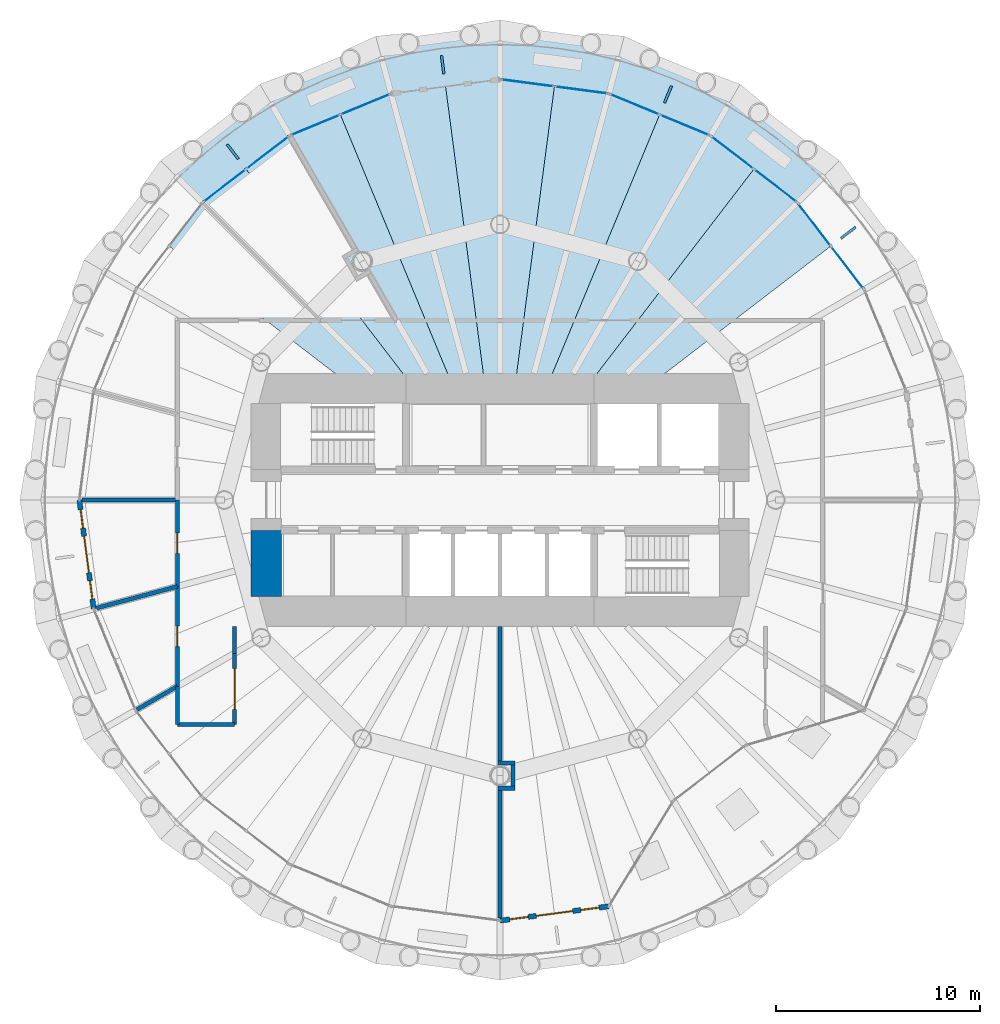
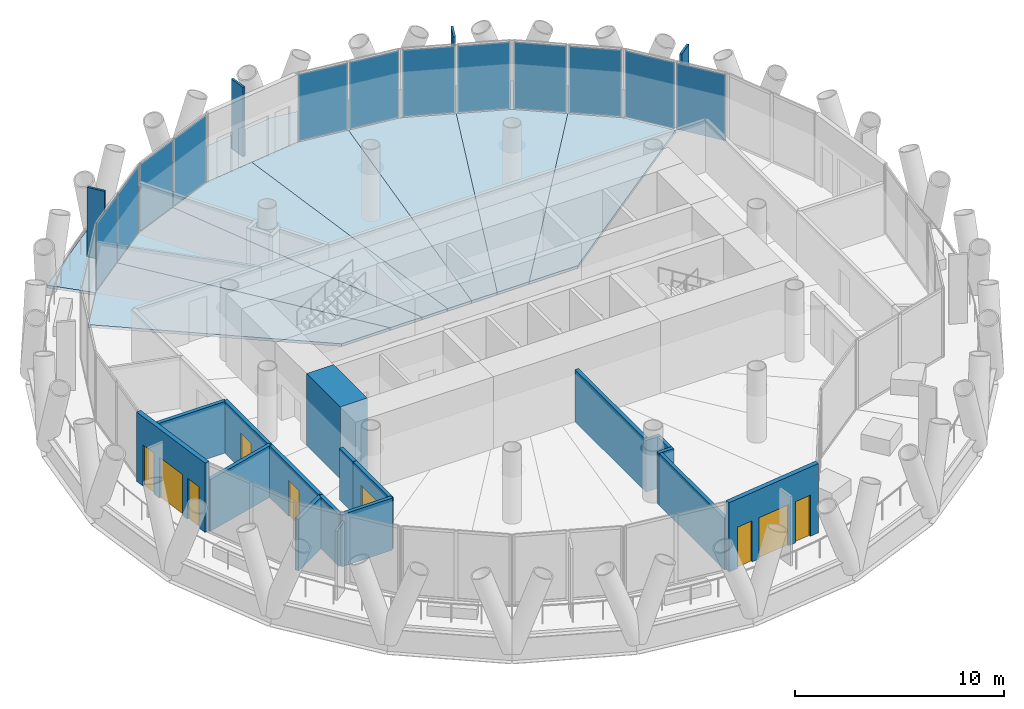
# One storey, part 8 of 14: 17 walls, 16 plates, 8 slabs, 5 doors, 4 windows, 9 openings, 6 elements without a shape of their own.
"""IFC4 building model written with IfcOpenShell, lengths in metres."""

from ifc_helpers import new_model, si_unit, direction, frame, frame_2d, origin, origin_2d, place, context, subcontext, project, spatial, polyline, rectangle, outline, extrude, material, layer, layer_set, type_object, element, fill, aggregate, save


model = new_model("IFC4")

# Units and contexts
model_context = context("Model", 3, precision=1e-05, world=origin(), true_north=direction((0.0, 1.0)))
body_context = subcontext(model_context, "Body", "Model", "MODEL_VIEW")
ifc_project = project(units=[si_unit("LENGTHUNIT", "METRE"), si_unit("AREAUNIT", "SQUARE_METRE"), si_unit("VOLUMEUNIT", "CUBIC_METRE"), si_unit("PLANEANGLEUNIT", "RADIAN"), si_unit("MASSUNIT", "GRAM", prefix="KILO")], contexts=[model_context])

# Site, building, storey
site_placement = place(None, origin())
site = spatial("IfcSite", under=ifc_project, at=site_placement, CompositionType="ELEMENT")
building_placement = place(site_placement, origin())
building = spatial("IfcBuilding", under=site, at=building_placement, Name="Qaws Media Tower", CompositionType="ELEMENT")
storey_placement = place(building_placement, frame((0.0, 0.0, 210.800048828125)))
storey = spatial("IfcBuildingStorey", under=building, at=storey_placement, Name="L48", CompositionType="ELEMENT", Elevation=210.800048828125)

# Slabs
ifc_material_1 = material(Name="Concrete C35/45", Category="concrete")
ifc_layer_1 = layer(ifc_material_1, 0.159912109375)
ifc_layer_set_1 = layer_set([ifc_layer_1], Name="Composite balcony slab 160")
slab_type_1 = type_object("IfcSlabType", Name="Composite balcony slab 160", PredefinedType="FLOOR", material=ifc_layer_set_1)
slab_1_placement = place(storey_placement, frame((0.0, 0.0, -0.16015625)))
element("IfcSlab", 1, at=slab_1_placement, inside=storey, type_object=slab_type_1, Name="S2 balcony slab L48 R04 to R10, movement joints on R04 and R10", PredefinedType="FLOOR", context=body_context, shape_type="SweptSolid", body=[
    extrude(outline(polyline([(43.736572265625, 66.263427734375), (48.5, 69.918701171875), (54.047119140625, 72.21630859375), (60.0, 73.0), (65.952880859375, 72.21630859375), (71.5, 69.918701171875), (76.263427734375, 66.263427734375), (74.56640625, 64.56640625), (70.300048828125, 67.840087890625), (65.331787109375, 69.898193359375), (60.0, 70.60009765625), (54.668212890625, 69.898193359375), (49.699951171875, 67.840087890625), (45.43359375, 64.56640625), (43.736572265625, 66.263427734375)])), origin(), (0.0, 0.0, 1.0), 0.16015625),
])
ifc_material_2 = material(Name="Concrete C35/45", Category="concrete")
ifc_layer_2 = layer(ifc_material_2, 0.159912109375)
ifc_layer_set_2 = layer_set([ifc_layer_2], Name="Composite floor slab 160")
slab_type_2 = type_object("IfcSlabType", Name="Composite floor slab 160", PredefinedType="FLOOR", material=ifc_layer_set_2)
slab_2_placement = place(storey_placement, frame((0.0, 0.0, -0.16015625)))
element("IfcSlab", 2, at=slab_2_placement, inside=storey, type_object=slab_type_2, Name="S1 floor panel L48 on R04", PredefinedType="FLOOR", context=body_context, shape_type="SweptSolid", body=[
    extrude(outline(polyline([(74.56640625, 64.56640625), (76.203369140625, 62.43310546875), (66.51611328125, 55.0), (63.836669921875, 55.0), (72.43310546875, 66.203369140625), (74.56640625, 64.56640625)])), origin(), (0.0, 0.0, 1.0), 0.16015625),
])
slab_3_placement = place(storey_placement, frame((0.0, 0.0, -0.16015625)))
element("IfcSlab", 3, at=slab_3_placement, inside=storey, type_object=slab_type_2, Name="S1 floor panel L48 on R05", PredefinedType="FLOOR", context=body_context, shape_type="SweptSolid", body=[
    extrude(outline(polyline([(70.300048828125, 67.840087890625), (72.43310546875, 66.203369140625), (63.836669921875, 55.0), (62.071044921875, 55.0), (67.81591796875, 68.869140625), (70.300048828125, 67.840087890625)])), origin(), (0.0, 0.0, 1.0), 0.16015625),
])
slab_4_placement = place(storey_placement, frame((0.0, 0.0, -0.16015625)))
element("IfcSlab", 4, at=slab_4_placement, inside=storey, type_object=slab_type_2, Name="S1 floor panel L48 on R06", PredefinedType="FLOOR", context=body_context, shape_type="SweptSolid", body=[
    extrude(outline(polyline([(65.331787109375, 69.898193359375), (67.81591796875, 68.869140625), (62.071044921875, 55.0), (60.658203125, 55.0), (62.665771484375, 70.2490234375), (65.331787109375, 69.898193359375)])), origin(), (0.0, 0.0, 1.0), 0.16015625),
])
slab_5_placement = place(storey_placement, frame((0.0, 0.0, -0.16015625)))
element("IfcSlab", 5, at=slab_5_placement, inside=storey, type_object=slab_type_2, Name="S1 floor panel L48 on R07", PredefinedType="FLOOR", context=body_context, shape_type="SweptSolid", body=[
    extrude(outline(polyline([(60.0, 70.60009765625), (62.665771484375, 70.2490234375), (60.658203125, 55.0), (59.341796875, 55.0), (57.334228515625, 70.2490234375), (60.0, 70.60009765625)])), origin(), (0.0, 0.0, 1.0), 0.16015625),
])
slab_6_placement = place(storey_placement, frame((0.0, 0.0, -0.16015625)))
element("IfcSlab", 6, at=slab_6_placement, inside=storey, type_object=slab_type_2, Name="S1 floor panel L48 on R08", PredefinedType="FLOOR", context=body_context, shape_type="SweptSolid", body=[
    extrude(outline(polyline([(54.668212890625, 69.898193359375), (57.334228515625, 70.2490234375), (59.341796875, 55.0), (57.928955078125, 55.0), (52.18408203125, 68.869140625), (54.668212890625, 69.898193359375)])), origin(), (0.0, 0.0, 1.0), 0.16015625),
])
slab_7_placement = place(storey_placement, frame((0.0, 0.0, -0.16015625)))
element("IfcSlab", 7, at=slab_7_placement, inside=storey, type_object=slab_type_2, Name="S1 floor panel L48 on R09", PredefinedType="FLOOR", context=body_context, shape_type="SweptSolid", body=[
    extrude(outline(polyline([(49.699951171875, 67.840087890625), (52.18408203125, 68.869140625), (57.928955078125, 55.0), (56.163330078125, 55.0), (47.56689453125, 66.203369140625), (49.699951171875, 67.840087890625)])), origin(), (0.0, 0.0, 1.0), 0.16015625),
])
slab_8_placement = place(storey_placement, frame((0.0, 0.0, -0.16015625)))
element("IfcSlab", 8, at=slab_8_placement, inside=storey, type_object=slab_type_2, Name="S1 floor panel L48 on R10", PredefinedType="FLOOR", context=body_context, shape_type="SweptSolid", body=[
    extrude(outline(polyline([(45.43359375, 64.56640625), (47.56689453125, 66.203369140625), (56.163330078125, 55.0), (53.48388671875, 55.0), (43.796630859375, 62.43310546875), (45.43359375, 64.56640625)])), origin(), (0.0, 0.0, 1.0), 0.16015625),
])

# Curtain wall, plates
ifc_material_3 = material(Name="Aluminium and clear glass", Category="aluminium")
curtain_wall_type = type_object("IfcCurtainWallType", Name="Unitised curtain wall CW-C", PredefinedType="NOTDEFINED", material=ifc_material_3)
curtain_wall_1_placement = place(storey_placement, origin())
curtain_wall_1 = element("IfcCurtainWall", 9, at=curtain_wall_1_placement, inside=storey, type_object=curtain_wall_type, Name="CWC curtain wall L48-03", PredefinedType="NOTDEFINED")
ifc_material_4 = material(Name="Clear laminated double glazing", Category="glass")
ifc_layer_3 = layer(ifc_material_4, 0.031982421875)
ifc_layer_set_3 = layer_set([ifc_layer_3], Name="Curtain wall glass unit 32")
plate_type_1 = type_object("IfcPlateType", Name="Curtain wall glass unit 32", PredefinedType="CURTAIN_PANEL", material=ifc_layer_set_3)
plate_1_placement = place(storey_placement, frame((77.009521484375, 61.382568359375, 0.080078125), z_axis=(0.0, 0.0, 1.0), x_axis=(-0.608761328178, 0.793353417662, 0.0)))
plate_1 = element("IfcPlate", 10, at=plate_1_placement, type_object=plate_type_1, Name="CWC panel 1.1", PredefinedType="CURTAIN_PANEL", context=body_context, shape_type="SweptSolid", body=[
    extrude(rectangle(XDim=2.56884765625, YDim=0.031982421875, at=origin_2d()), origin(), (0.0, 0.0, 1.0), 3.8798828125),
])
plate_2_placement = place(storey_placement, frame((75.39697265625, 63.48388671875, 0.080078125), z_axis=(0.0, 0.0, 1.0), x_axis=(-0.608761328178, 0.793353417662, 0.0)))
plate_2 = element("IfcPlate", 11, at=plate_2_placement, type_object=plate_type_1, Name="CWC panel 2.1", PredefinedType="CURTAIN_PANEL", context=body_context, shape_type="SweptSolid", body=[
    extrude(rectangle(XDim=2.56884765625, YDim=0.031982421875, at=origin_2d()), origin(), (0.0, 0.0, 1.0), 3.8798828125),
])
aggregate(curtain_wall_1, [plate_1, plate_2])

curtain_wall_2_placement = place(storey_placement, origin())
curtain_wall_2 = element("IfcCurtainWall", 12, at=curtain_wall_2_placement, inside=storey, type_object=curtain_wall_type, Name="CWC curtain wall L48-04", PredefinedType="NOTDEFINED")
plate_3_placement = place(storey_placement, frame((73.48388671875, 65.39697265625, 0.080078125), z_axis=(0.0, 0.0, 1.0), x_axis=(-0.793353417662, 0.608761328178, 0.0)))
plate_3 = element("IfcPlate", 13, at=plate_3_placement, type_object=plate_type_1, Name="CWC panel 1.1", PredefinedType="CURTAIN_PANEL", context=body_context, shape_type="SweptSolid", body=[
    extrude(rectangle(XDim=2.56884765625, YDim=0.031982421875, at=origin_2d()), origin(), (0.0, 0.0, 1.0), 3.8798828125),
])
plate_4_placement = place(storey_placement, frame((71.382568359375, 67.009521484375, 0.080078125), z_axis=(0.0, 0.0, 1.0), x_axis=(-0.793353417662, 0.608761328178, 0.0)))
plate_4 = element("IfcPlate", 14, at=plate_4_placement, type_object=plate_type_1, Name="CWC panel 2.1", PredefinedType="CURTAIN_PANEL", context=body_context, shape_type="SweptSolid", body=[
    extrude(rectangle(XDim=2.56884765625, YDim=0.031982421875, at=origin_2d()), origin(), (0.0, 0.0, 1.0), 3.8798828125),
])
aggregate(curtain_wall_2, [plate_3, plate_4])

curtain_wall_3_placement = place(storey_placement, origin())
curtain_wall_3 = element("IfcCurtainWall", 15, at=curtain_wall_3_placement, inside=storey, type_object=curtain_wall_type, Name="CWC curtain wall L48-05", PredefinedType="NOTDEFINED")
plate_5_placement = place(storey_placement, frame((69.03955078125, 68.3623046875, 0.080078125), z_axis=(0.0, 0.0, 1.0), x_axis=(-0.923879521985, 0.382683457778, 0.0)))
plate_5 = element("IfcPlate", 16, at=plate_5_placement, type_object=plate_type_1, Name="CWC panel 1.1", PredefinedType="CURTAIN_PANEL", context=body_context, shape_type="SweptSolid", body=[
    extrude(rectangle(XDim=2.56884765625, YDim=0.031982421875, at=origin_2d()), origin(), (0.0, 0.0, 1.0), 3.8798828125),
])
plate_6_placement = place(storey_placement, frame((66.59228515625, 69.3759765625, 0.080078125), z_axis=(0.0, 0.0, 1.0), x_axis=(-0.923879521985, 0.382683457778, 0.0)))
plate_6 = element("IfcPlate", 17, at=plate_6_placement, type_object=plate_type_1, Name="CWC panel 2.1", PredefinedType="CURTAIN_PANEL", context=body_context, shape_type="SweptSolid", body=[
    extrude(rectangle(XDim=2.56884765625, YDim=0.031982421875, at=origin_2d()), origin(), (0.0, 0.0, 1.0), 3.8798828125),
])
aggregate(curtain_wall_3, [plate_5, plate_6])

curtain_wall_4_placement = place(storey_placement, origin())
curtain_wall_4 = element("IfcCurtainWall", 18, at=curtain_wall_4_placement, inside=storey, type_object=curtain_wall_type, Name="CWC curtain wall L48-06", PredefinedType="NOTDEFINED")
plate_7_placement = place(storey_placement, frame((63.97900390625, 70.076171875, 0.080078125), z_axis=(0.0, 0.0, 1.0), x_axis=(-0.991444859813, 0.130526204073, 0.0)))
plate_7 = element("IfcPlate", 19, at=plate_7_placement, type_object=plate_type_1, Name="CWC panel 1.1", PredefinedType="CURTAIN_PANEL", context=body_context, shape_type="SweptSolid", body=[
    extrude(rectangle(XDim=2.56884765625, YDim=0.031982421875, at=origin_2d()), origin(), (0.0, 0.0, 1.0), 3.8798828125),
])
plate_8_placement = place(storey_placement, frame((61.352783203125, 70.421875, 0.080078125), z_axis=(0.0, 0.0, 1.0), x_axis=(-0.991444859813, 0.130526204073, 0.0)))
plate_8 = element("IfcPlate", 20, at=plate_8_placement, type_object=plate_type_1, Name="CWC panel 2.1", PredefinedType="CURTAIN_PANEL", context=body_context, shape_type="SweptSolid", body=[
    extrude(rectangle(XDim=2.56884765625, YDim=0.031982421875, at=origin_2d()), origin(), (0.0, 0.0, 1.0), 3.8798828125),
])
aggregate(curtain_wall_4, [plate_7, plate_8])

curtain_wall_5_placement = place(storey_placement, origin())
curtain_wall_5 = element("IfcCurtainWall", 21, at=curtain_wall_5_placement, inside=storey, type_object=curtain_wall_type, Name="CWC curtain wall L48-08", PredefinedType="NOTDEFINED")
plate_9_placement = place(storey_placement, frame((53.40771484375, 69.3759765625, 0.080078125), z_axis=(0.0, 0.0, 1.0), x_axis=(-0.923879521985, -0.382683457778, 0.0)))
plate_9 = element("IfcPlate", 22, at=plate_9_placement, type_object=plate_type_1, Name="CWC panel 1.1", PredefinedType="CURTAIN_PANEL", context=body_context, shape_type="SweptSolid", body=[
    extrude(rectangle(XDim=2.56884765625, YDim=0.031982421875, at=origin_2d()), origin(), (0.0, 0.0, 1.0), 3.8798828125),
])
plate_10_placement = place(storey_placement, frame((50.96044921875, 68.3623046875, 0.080078125), z_axis=(0.0, 0.0, 1.0), x_axis=(-0.923879521985, -0.382683457778, 0.0)))
plate_10 = element("IfcPlate", 23, at=plate_10_placement, type_object=plate_type_1, Name="CWC panel 2.1", PredefinedType="CURTAIN_PANEL", context=body_context, shape_type="SweptSolid", body=[
    extrude(rectangle(XDim=2.56884765625, YDim=0.031982421875, at=origin_2d()), origin(), (0.0, 0.0, 1.0), 3.8798828125),
])
aggregate(curtain_wall_5, [plate_9, plate_10])

curtain_wall_6_placement = place(storey_placement, origin())
curtain_wall_6 = element("IfcCurtainWall", 24, at=curtain_wall_6_placement, inside=storey, type_object=curtain_wall_type, Name="CWC curtain wall L48-09", PredefinedType="NOTDEFINED")
plate_11_placement = place(storey_placement, frame((48.617431640625, 67.009521484375, 0.080078125), z_axis=(0.0, 0.0, 1.0), x_axis=(-0.793353417662, -0.608761328178, 0.0)))
plate_11 = element("IfcPlate", 25, at=plate_11_placement, type_object=plate_type_1, Name="CWC panel 1.1", PredefinedType="CURTAIN_PANEL", context=body_context, shape_type="SweptSolid", body=[
    extrude(rectangle(XDim=2.56884765625, YDim=0.031982421875, at=origin_2d()), origin(), (0.0, 0.0, 1.0), 3.8798828125),
])
plate_12_placement = place(storey_placement, frame((46.51611328125, 65.39697265625, 0.080078125), z_axis=(0.0, 0.0, 1.0), x_axis=(-0.793353417662, -0.608761328178, 0.0)))
plate_12 = element("IfcPlate", 26, at=plate_12_placement, type_object=plate_type_1, Name="CWC panel 2.1", PredefinedType="CURTAIN_PANEL", context=body_context, shape_type="SweptSolid", body=[
    extrude(rectangle(XDim=2.56884765625, YDim=0.031982421875, at=origin_2d()), origin(), (0.0, 0.0, 1.0), 3.8798828125),
])
aggregate(curtain_wall_6, [plate_11, plate_12])

# Plates
ifc_material_5 = material(Name="Precast concrete screen fin", Category="concrete")
ifc_layer_4 = layer(ifc_material_5, 0.1201171875)
ifc_layer_set_4 = layer_set([ifc_layer_4], Name="Screen fin 120x900")
plate_type_2 = type_object("IfcPlateType", Name="Screen fin 120x900", PredefinedType="USERDEFINED", material=ifc_layer_set_4)
for number, where, z_axis, x_axis, name in (
    (27, (77.05712890625, 63.08837890625, 0.0), (0.0, 0.0, 1.0), (0.793353340291, 0.608761429009, 0.0), "SCR1 screen fin L48-02"),
    (28, (68.227783203125, 69.863525390625, 0.0), (0.0, 0.0, 1.0), (0.382683432365, 0.923879532511, 0.0), "SCR1 screen fin L48-03"),
    (29, (57.193603515625, 71.316162109375, 0.0), (0.0, 0.0, 1.0), (-0.13052619222, 0.991444861374, 0.0), "SCR1 screen fin L48-04"),
    (30, (46.91162109375, 67.05712890625, 0.0), (0.0, 0.0, 1.0), (-0.608761429009, 0.793353340291, 0.0), "SCR1 screen fin L48-05"),
):
    element("IfcPlate", number, at=place(storey_placement, frame(where, z_axis=z_axis, x_axis=x_axis)), inside=storey, type_object=plate_type_2, Name=name, ObjectType="SCREEN", PredefinedType="USERDEFINED", context=body_context, shape_type="SweptSolid", body=[
        extrude(rectangle(XDim=0.89990234375, YDim=0.1201171875, at=origin_2d()), origin(), (0.0, 0.0, 1.0), 4.0400390625),
    ])

# Wall, openings, door, windows
ifc_material_6 = material(Name="Precast concrete, exposed finish", Category="concrete")
ifc_layer_5 = layer(ifc_material_6, 0.25)
ifc_layer_set_5 = layer_set([ifc_layer_5], Name="Balcony door wall 250")
wall_type_1 = type_object("IfcWallType", Name="Balcony door wall 250", PredefinedType="SOLIDWALL", material=ifc_layer_set_5)
wall_1_placement = place(storey_placement, frame((39.39990234375, 50.0, 0.0), z_axis=(0.0, 0.0, 1.0), x_axis=(0.130519101615, -0.991445794844, 0.0)))
wall_1 = element("IfcWall", 31, at=wall_1_placement, inside=storey, type_object=wall_type_1, Name="W104 EW1 balcony door wall L48-13", PredefinedType="SOLIDWALL", context=body_context, shape_type="SweptSolid", body=[
    extrude(rectangle(XDim=5.377685546875, YDim=0.25, at=frame_2d((2.68896484375, 0.0))), origin(), (0.0, 0.0, 1.0), 4.0400390625),
])
opening_1_placement = place(wall_1_placement, frame((1.788818359375, 0.0, 0.0)))
opening_1 = element("IfcOpeningElement", 32, at=opening_1_placement, cuts=wall_1, Name="Opening D7", PredefinedType="OPENING", context=body_context, shape_type="SweptSolid", body=[
    extrude(rectangle(XDim=1.800048828125, YDim=2.39990234375, at=frame_2d((0.89990234375, 1.199951171875))), frame((0.0, 0.135009765625, 0.0), z_axis=(0.0, -1.0, 0.0), x_axis=(1.0, 0.0, 0.0)), (0.0, 0.0, 1.0), 0.27001953125),
])
opening_2_placement = place(wall_1_placement, frame((0.48876953125, 0.0, 0.0)))
opening_2 = element("IfcOpeningElement", 33, at=opening_2_placement, cuts=wall_1, Name="Opening W7", PredefinedType="OPENING", context=body_context, shape_type="SweptSolid", body=[
    extrude(rectangle(XDim=0.89990234375, YDim=2.39990234375, at=frame_2d((0.449951171875, 1.199951171875))), frame((0.0, 0.135009765625, 0.0), z_axis=(0.0, -1.0, 0.0), x_axis=(1.0, 0.0, 0.0)), (0.0, 0.0, 1.0), 0.27001953125),
])
opening_3_placement = place(wall_1_placement, frame((3.98876953125, 0.0, 0.0)))
opening_3 = element("IfcOpeningElement", 34, at=opening_3_placement, cuts=wall_1, Name="Opening W7", PredefinedType="OPENING", context=body_context, shape_type="SweptSolid", body=[
    extrude(rectangle(XDim=0.89990234375, YDim=2.39990234375, at=frame_2d((0.449951171875, 1.199951171875))), frame((0.0, 0.135009765625, 0.0), z_axis=(0.0, -1.0, 0.0), x_axis=(1.0, 0.0, 0.0)), (0.0, 0.0, 1.0), 0.27001953125),
])
ifc_material_7 = material(Name="Aluminium and clear glass", Category="aluminium")
door_type_1 = type_object("IfcDoorType", Name="Balcony door pair 1800", OperationType="DOUBLE_DOOR_SLIDING", PredefinedType="DOOR", material=ifc_material_7)
door_1_placement = place(opening_1_placement, origin())
door_1 = element("IfcDoor", 35, at=door_1_placement, inside=storey, type_object=door_type_1, Name="D7 balcony door L48-13 in wall W104", OperationType="DOUBLE_DOOR_SLIDING", OverallHeight=2.39990234375, OverallWidth=1.800048828125, PredefinedType="DOOR", context=body_context, shape_type="SweptSolid", body=[
    extrude(rectangle(XDim=1.800048828125, YDim=2.39990234375, at=frame_2d((0.89990234375, 1.199951171875))), frame((0.0, 0.02490234375, 0.0), z_axis=(0.0, -1.0, 0.0), x_axis=(1.0, 0.0, 0.0)), (0.0, 0.0, 1.0), 0.050048828125),
])
fill(opening_1, door_1)
ifc_material_8 = material(Name="Aluminium and clear glass", Category="aluminium")
window_type = type_object("IfcWindowType", Name="Balcony side window 900", PartitioningType="SINGLE_PANEL", PredefinedType="WINDOW", material=ifc_material_8)
window_1_placement = place(opening_2_placement, origin())
window_1 = element("IfcWindow", 36, at=window_1_placement, inside=storey, type_object=window_type, Name="W1 balcony side light L48-13L", OverallHeight=2.39990234375, OverallWidth=0.89990234375, PartitioningType="SINGLE_PANEL", PredefinedType="WINDOW", context=body_context, shape_type="SweptSolid", body=[
    extrude(rectangle(XDim=0.89990234375, YDim=2.39990234375, at=frame_2d((0.449951171875, 1.199951171875))), frame((0.0, 0.030029296875, 0.0), z_axis=(0.0, -1.0, 0.0), x_axis=(1.0, 0.0, 0.0)), (0.0, 0.0, 1.0), 0.06005859375),
])
fill(opening_2, window_1)
window_2_placement = place(opening_3_placement, origin())
window_2 = element("IfcWindow", 37, at=window_2_placement, inside=storey, type_object=window_type, Name="W1 balcony side light L48-13R", OverallHeight=2.39990234375, OverallWidth=0.89990234375, PartitioningType="SINGLE_PANEL", PredefinedType="WINDOW", context=body_context, shape_type="SweptSolid", body=[
    extrude(rectangle(XDim=0.89990234375, YDim=2.39990234375, at=frame_2d((0.449951171875, 1.199951171875))), frame((0.0, 0.030029296875, 0.0), z_axis=(0.0, -1.0, 0.0), x_axis=(1.0, 0.0, 0.0)), (0.0, 0.0, 1.0), 0.06005859375),
])
fill(opening_3, window_2)

wall_2_placement = place(storey_placement, frame((60.0, 29.39990234375, 0.0), z_axis=(0.0, 0.0, 1.0), x_axis=(0.991445794844, 0.130519101615, 0.0)))
wall_2 = element("IfcWall", 38, at=wall_2_placement, inside=storey, type_object=wall_type_1, Name="W105 EW1 balcony door wall L48-19", PredefinedType="SOLIDWALL", context=body_context, shape_type="SweptSolid", body=[
    extrude(rectangle(XDim=5.377685546875, YDim=0.25, at=frame_2d((2.68896484375, 0.0))), origin(), (0.0, 0.0, 1.0), 4.0400390625),
])
opening_4_placement = place(wall_2_placement, frame((1.788818359375, 0.0, 0.0)))
opening_4 = element("IfcOpeningElement", 39, at=opening_4_placement, cuts=wall_2, Name="Opening D7", PredefinedType="OPENING", context=body_context, shape_type="SweptSolid", body=[
    extrude(rectangle(XDim=1.800048828125, YDim=2.39990234375, at=frame_2d((0.89990234375, 1.199951171875))), frame((0.0, 0.135009765625, 0.0), z_axis=(0.0, -1.0, 0.0), x_axis=(1.0, 0.0, 0.0)), (0.0, 0.0, 1.0), 0.27001953125),
])
opening_5_placement = place(wall_2_placement, frame((0.48876953125, 0.0, 0.0)))
opening_5 = element("IfcOpeningElement", 40, at=opening_5_placement, cuts=wall_2, Name="Opening W7", PredefinedType="OPENING", context=body_context, shape_type="SweptSolid", body=[
    extrude(rectangle(XDim=0.89990234375, YDim=2.39990234375, at=frame_2d((0.449951171875, 1.199951171875))), frame((0.0, 0.135009765625, 0.0), z_axis=(0.0, -1.0, 0.0), x_axis=(1.0, 0.0, 0.0)), (0.0, 0.0, 1.0), 0.27001953125),
])
opening_6_placement = place(wall_2_placement, frame((3.98876953125, 0.0, 0.0)))
opening_6 = element("IfcOpeningElement", 41, at=opening_6_placement, cuts=wall_2, Name="Opening W7", PredefinedType="OPENING", context=body_context, shape_type="SweptSolid", body=[
    extrude(rectangle(XDim=0.89990234375, YDim=2.39990234375, at=frame_2d((0.449951171875, 1.199951171875))), frame((0.0, 0.135009765625, 0.0), z_axis=(0.0, -1.0, 0.0), x_axis=(1.0, 0.0, 0.0)), (0.0, 0.0, 1.0), 0.27001953125),
])
door_2_placement = place(opening_4_placement, origin())
door_2 = element("IfcDoor", 42, at=door_2_placement, inside=storey, type_object=door_type_1, Name="D7 balcony door L48-19 in wall W105", OperationType="DOUBLE_DOOR_SLIDING", OverallHeight=2.39990234375, OverallWidth=1.800048828125, PredefinedType="DOOR", context=body_context, shape_type="SweptSolid", body=[
    extrude(rectangle(XDim=1.800048828125, YDim=2.39990234375, at=frame_2d((0.89990234375, 1.199951171875))), frame((0.0, 0.02490234375, 0.0), z_axis=(0.0, -1.0, 0.0), x_axis=(1.0, 0.0, 0.0)), (0.0, 0.0, 1.0), 0.050048828125),
])
fill(opening_4, door_2)
window_3_placement = place(opening_5_placement, origin())
window_3 = element("IfcWindow", 43, at=window_3_placement, inside=storey, type_object=window_type, Name="W1 balcony side light L48-19L", OverallHeight=2.39990234375, OverallWidth=0.89990234375, PartitioningType="SINGLE_PANEL", PredefinedType="WINDOW", context=body_context, shape_type="SweptSolid", body=[
    extrude(rectangle(XDim=0.89990234375, YDim=2.39990234375, at=frame_2d((0.449951171875, 1.199951171875))), frame((0.0, 0.030029296875, 0.0), z_axis=(0.0, -1.0, 0.0), x_axis=(1.0, 0.0, 0.0)), (0.0, 0.0, 1.0), 0.06005859375),
])
fill(opening_5, window_3)
window_4_placement = place(opening_6_placement, origin())
window_4 = element("IfcWindow", 44, at=window_4_placement, inside=storey, type_object=window_type, Name="W1 balcony side light L48-19R", OverallHeight=2.39990234375, OverallWidth=0.89990234375, PartitioningType="SINGLE_PANEL", PredefinedType="WINDOW", context=body_context, shape_type="SweptSolid", body=[
    extrude(rectangle(XDim=0.89990234375, YDim=2.39990234375, at=frame_2d((0.449951171875, 1.199951171875))), frame((0.0, 0.030029296875, 0.0), z_axis=(0.0, -1.0, 0.0), x_axis=(1.0, 0.0, 0.0)), (0.0, 0.0, 1.0), 0.06005859375),
])
fill(opening_6, window_4)

# Walls
ifc_material_9 = material(Name="Concrete C60/75", Category="concrete")
ifc_layer_6 = layer(ifc_material_9, 1.5)
ifc_layer_set_6 = layer_set([ifc_layer_6], Name="Core wall 1500")
wall_type_2 = type_object("IfcWallType", Name="Core wall 1500", PredefinedType="SHEAR", material=ifc_layer_set_6)
wall_3_placement = place(storey_placement, frame((48.550048828125, 45.280029296875, 0.0), z_axis=(0.0, 0.0, 1.0), x_axis=(0.0, 1.0, 0.0)))
element("IfcWall", 45, at=wall_3_placement, inside=storey, type_object=wall_type_2, Name="W378 SW13 core wall WS L48", PredefinedType="SHEAR", context=body_context, shape_type="SweptSolid", body=[
    extrude(rectangle(XDim=3.219970703125, YDim=1.5, at=frame_2d((1.60986328125, 0.0))), origin(), (0.0, 0.0, 1.0), 4.199951171875),
])
ifc_material_10 = material(Name="Gypsum board on galvanised metal studs, acoustic double stud, deflection head", Category="gypsum")
ifc_layer_7 = layer(ifc_material_10, 0.199951171875)
ifc_layer_set_7 = layer_set([ifc_layer_7], Name="Room partition 200")
wall_type_3 = type_object("IfcWallType", Name="Room partition 200", PredefinedType="PARTITIONING", material=ifc_layer_set_7)
wall_4_placement = place(storey_placement, frame((47.0, 43.800048828125, 0.0), z_axis=(0.0, 0.0, 1.0), x_axis=(0.0, -1.0, 0.0)))
element("IfcWall", 46, at=wall_4_placement, inside=storey, type_object=wall_type_3, Name="W1528 IW3 partition L48", PredefinedType="PARTITIONING", context=body_context, shape_type="SweptSolid", body=[
    extrude(rectangle(XDim=1.3056640625, YDim=0.199951171875, at=frame_2d((0.65283203125, 0.0))), origin(), (0.0, 0.0, 1.0), 3.011962890625),
])

# Wall, opening, door
wall_5_placement = place(storey_placement, frame((47.0, 42.494384765625, 0.0), z_axis=(0.0, 0.0, 1.0), x_axis=(0.0, -1.0, 0.0)))
wall_5 = element("IfcWall", 47, at=wall_5_placement, inside=storey, type_object=wall_type_3, Name="W1366 IW3 partition L48", PredefinedType="PARTITIONING", context=body_context, shape_type="SweptSolid", body=[
    extrude(rectangle(XDim=3.494384765625, YDim=0.199951171875, at=frame_2d((1.7470703125, 0.0))), origin(), (0.0, 0.0, 1.0), 3.011962890625),
])
opening_7_placement = place(wall_5_placement, frame((0.747314453125, 0.0, 0.0)))
opening_7 = element("IfcOpeningElement", 48, at=opening_7_placement, cuts=wall_5, Name="Opening D6", PredefinedType="OPENING", context=body_context, shape_type="SweptSolid", body=[
    extrude(rectangle(XDim=2.0, YDim=2.10009765625, at=frame_2d((1.0, 1.050048828125))), frame((0.0, 0.10986328125, 0.0), z_axis=(0.0, -1.0, 0.0), x_axis=(1.0, 0.0, 0.0)), (0.0, 0.0, 1.0), 0.219970703125),
])
ifc_material_11 = material(Name="Steel, acoustic, fire rated", Category="steel")
door_type_2 = type_object("IfcDoorType", Name="Room door pair 2000", OperationType="DOUBLE_DOOR_DOUBLE_SWING", PredefinedType="DOOR", material=ifc_material_11)
door_3_placement = place(opening_7_placement, origin())
door_3 = element("IfcDoor", 49, at=door_3_placement, inside=storey, type_object=door_type_2, Name="D6 Tenant studio office door L48 in wall W1366", OperationType="DOUBLE_DOOR_DOUBLE_SWING", OverallHeight=2.10009765625, OverallWidth=2.0, PredefinedType="DOOR", context=body_context, shape_type="SweptSolid", body=[
    extrude(rectangle(XDim=2.0, YDim=2.10009765625, at=frame_2d((1.0, 1.050048828125))), frame((0.0, 0.02490234375, 0.0), z_axis=(0.0, -1.0, 0.0), x_axis=(1.0, 0.0, 0.0)), (0.0, 0.0, 1.0), 0.050048828125),
])
fill(opening_7, door_3)

# Walls
wall_6_placement = place(storey_placement, frame((47.0, 39.0, 0.0), z_axis=(0.0, 0.0, 1.0), x_axis=(-1.0, 0.0, 0.0)))
element("IfcWall", 50, at=wall_6_placement, inside=storey, type_object=wall_type_3, Name="W1222 IW3 partition L48", PredefinedType="PARTITIONING", context=body_context, shape_type="SweptSolid", body=[
    extrude(rectangle(XDim=2.800048828125, YDim=0.199951171875, at=frame_2d((1.39990234375, 0.0))), origin(), (0.0, 0.0, 1.0), 3.0400390625),
])
wall_7_placement = place(storey_placement, frame((44.199951171875, 39.0, 0.0), z_axis=(0.0, 0.0, 1.0), x_axis=(0.0, 1.0, 0.0)))
element("IfcWall", 51, at=wall_7_placement, inside=storey, type_object=wall_type_3, Name="W1360 IW3 partition L48", PredefinedType="PARTITIONING", context=body_context, shape_type="SweptSolid", body=[
    extrude(rectangle(XDim=1.8779296875, YDim=0.199951171875, at=frame_2d((0.93896484375, 0.0))), origin(), (0.0, 0.0, 1.0), 3.011962890625),
])

# Wall, opening, door
wall_8_placement = place(storey_placement, frame((44.199951171875, 40.8779296875, 0.0), z_axis=(0.0, 0.0, 1.0), x_axis=(0.0, 1.0, 0.0)))
wall_8 = element("IfcWall", 52, at=wall_8_placement, inside=storey, type_object=wall_type_3, Name="W1361 IW3 partition L48", PredefinedType="PARTITIONING", context=body_context, shape_type="SweptSolid", body=[
    extrude(rectangle(XDim=4.888427734375, YDim=0.199951171875, at=frame_2d((2.4443359375, 0.0))), origin(), (0.0, 0.0, 1.0), 3.011962890625),
])
opening_8_placement = place(wall_8_placement, frame((1.9443359375, 0.0, 0.0)))
opening_8 = element("IfcOpeningElement", 53, at=opening_8_placement, cuts=wall_8, Name="Opening D5", PredefinedType="OPENING", context=body_context, shape_type="SweptSolid", body=[
    extrude(rectangle(XDim=1.0, YDim=2.10009765625, at=frame_2d((0.5, 1.050048828125))), frame((0.0, 0.10986328125, 0.0), z_axis=(0.0, -1.0, 0.0), x_axis=(1.0, 0.0, 0.0)), (0.0, 0.0, 1.0), 0.219970703125),
])
ifc_material_12 = material(Name="Timber veneered, acoustic seal", Category="wood")
door_type_3 = type_object("IfcDoorType", Name="Room door 1000", OperationType="SINGLE_SWING_LEFT", PredefinedType="DOOR", material=ifc_material_12)
door_4_placement = place(opening_8_placement, origin())
door_4 = element("IfcDoor", 54, at=door_4_placement, inside=storey, type_object=door_type_3, Name="D5 Edit room door L48 in wall W1361", OperationType="SINGLE_SWING_LEFT", OverallHeight=2.10009765625, OverallWidth=1.0, PredefinedType="DOOR", context=body_context, shape_type="SweptSolid", body=[
    extrude(rectangle(XDim=1.0, YDim=2.10009765625, at=frame_2d((0.5, 1.050048828125))), frame((0.0, 0.02490234375, 0.0), z_axis=(0.0, -1.0, 0.0), x_axis=(1.0, 0.0, 0.0)), (0.0, 0.0, 1.0), 0.050048828125),
])
fill(opening_8, door_4)

wall_9_placement = place(storey_placement, frame((44.199951171875, 45.766357421875, 0.0), z_axis=(0.0, 0.0, 1.0), x_axis=(0.0, 1.0, 0.0)))
wall_9 = element("IfcWall", 55, at=wall_9_placement, inside=storey, type_object=wall_type_3, Name="W1362 IW3 partition L48", PredefinedType="PARTITIONING", context=body_context, shape_type="SweptSolid", body=[
    extrude(rectangle(XDim=4.233642578125, YDim=0.199951171875, at=frame_2d((2.11669921875, 0.0))), origin(), (0.0, 0.0, 1.0), 3.011962890625),
])
opening_9_placement = place(wall_9_placement, frame((1.61669921875, 0.0, 0.0)))
opening_9 = element("IfcOpeningElement", 56, at=opening_9_placement, cuts=wall_9, Name="Opening D5", PredefinedType="OPENING", context=body_context, shape_type="SweptSolid", body=[
    extrude(rectangle(XDim=1.0, YDim=2.10009765625, at=frame_2d((0.5, 1.050048828125))), frame((0.0, 0.10986328125, 0.0), z_axis=(0.0, -1.0, 0.0), x_axis=(1.0, 0.0, 0.0)), (0.0, 0.0, 1.0), 0.219970703125),
])
door_5_placement = place(opening_9_placement, origin())
door_5 = element("IfcDoor", 57, at=door_5_placement, inside=storey, type_object=door_type_3, Name="D5 Edit room door L48 in wall W1362", OperationType="SINGLE_SWING_LEFT", OverallHeight=2.10009765625, OverallWidth=1.0, PredefinedType="DOOR", context=body_context, shape_type="SweptSolid", body=[
    extrude(rectangle(XDim=1.0, YDim=2.10009765625, at=frame_2d((0.5, 1.050048828125))), frame((0.0, 0.02490234375, 0.0), z_axis=(0.0, -1.0, 0.0), x_axis=(1.0, 0.0, 0.0)), (0.0, 0.0, 1.0), 0.050048828125),
])
fill(opening_9, door_5)

# Walls
wall_10_placement = place(storey_placement, frame((44.199951171875, 50.0, 0.0), z_axis=(0.0, 0.0, 1.0), x_axis=(-1.0, 0.0, 0.0)))
element("IfcWall", 58, at=wall_10_placement, inside=storey, type_object=wall_type_3, Name="W1557 IW3 partition L48", PredefinedType="PARTITIONING", context=body_context, shape_type="SweptSolid", body=[
    extrude(rectangle(XDim=4.659912109375, YDim=0.199951171875, at=frame_2d((2.330078125, 0.0))), origin(), (0.0, 0.0, 1.0), 3.011962890625),
])
wall_11_placement = place(storey_placement, frame((44.197509765625, 45.765625, 0.0), z_axis=(0.0, 0.0, 1.0), x_axis=(-0.965931838173, -0.258796607404, 0.0)))
element("IfcWall", 59, at=wall_11_placement, inside=storey, type_object=wall_type_3, Name="W1556 IW3 partition L48", PredefinedType="PARTITIONING", context=body_context, shape_type="SweptSolid", body=[
    extrude(rectangle(XDim=4.099853515625, YDim=0.199951171875, at=frame_2d((2.0498046875, 0.0))), origin(), (0.0, 0.0, 1.0), 3.011962890625),
])
wall_12_placement = place(storey_placement, frame((44.20361328125, 40.8798828125, 0.0), z_axis=(0.0, 0.0, 1.0), x_axis=(-0.866026103983, -0.499998787219, 0.0)))
element("IfcWall", 60, at=wall_12_placement, inside=storey, type_object=wall_type_3, Name="W1558 IW3 partition L48", PredefinedType="PARTITIONING", context=body_context, shape_type="SweptSolid", body=[
    extrude(rectangle(XDim=2.31982421875, YDim=0.199951171875, at=frame_2d((1.159912109375, 0.0))), origin(), (0.0, 0.0, 1.0), 3.011962890625),
])
for number, where, z_axis, x_axis, name in (
    (61, (59.89990234375, 37.116943359375, 0.0), (0.0, 0.0, 1.0), (1.0, 0.0, 0.0), "W1538 IW3 partition return L48"),
    (62, (59.89990234375, 35.883056640625, 0.0), (0.0, 0.0, 1.0), (1.0, 0.0, 0.0), "W1537 IW3 partition return L48"),
):
    element("IfcWall", number, at=place(storey_placement, frame(where, z_axis=z_axis, x_axis=x_axis)), inside=storey, type_object=wall_type_3, Name=name, PredefinedType="PARTITIONING", context=body_context, shape_type="SweptSolid", body=[
        extrude(rectangle(XDim=0.8271484375, YDim=0.199951171875, at=frame_2d((0.41357421875, 0.0))), origin(), (0.0, 0.0, 1.0), 3.011962890625),
    ])
wall_13_placement = place(storey_placement, frame((60.626953125, 37.01708984375, 0.0), z_axis=(0.0, 0.0, 1.0), x_axis=(0.0, -1.0, 0.0)))
element("IfcWall", 63, at=wall_13_placement, inside=storey, type_object=wall_type_3, Name="W1541 IW3 partition return L48", PredefinedType="PARTITIONING", context=body_context, shape_type="SweptSolid", body=[
    extrude(rectangle(XDim=1.0341796875, YDim=0.199951171875, at=frame_2d((0.51708984375, 0.0))), origin(), (0.0, 0.0, 1.0), 3.011962890625),
])
wall_14_placement = place(storey_placement, frame((60.0, 43.800048828125, 0.0), z_axis=(0.0, 0.0, 1.0), x_axis=(0.0, -1.0, 0.0)))
element("IfcWall", 64, at=wall_14_placement, inside=storey, type_object=wall_type_3, Name="W1540 IW3 partition L48", PredefinedType="PARTITIONING", context=body_context, shape_type="SweptSolid", body=[
    extrude(rectangle(XDim=6.5830078125, YDim=0.199951171875, at=frame_2d((3.29150390625, 0.0))), origin(), (0.0, 0.0, 1.0), 3.0400390625),
])
wall_15_placement = place(storey_placement, frame((60.0, 35.782958984375, 0.0), z_axis=(0.0, 0.0, 1.0), x_axis=(0.0, -1.0, 0.0)))
element("IfcWall", 65, at=wall_15_placement, inside=storey, type_object=wall_type_3, Name="W1560 IW3 partition L48", PredefinedType="PARTITIONING", context=body_context, shape_type="SweptSolid", body=[
    extrude(rectangle(XDim=6.242919921875, YDim=0.199951171875, at=frame_2d((3.12158203125, 0.0))), origin(), (0.0, 0.0, 1.0), 3.011962890625),
])

save(model, "model.ifc")
